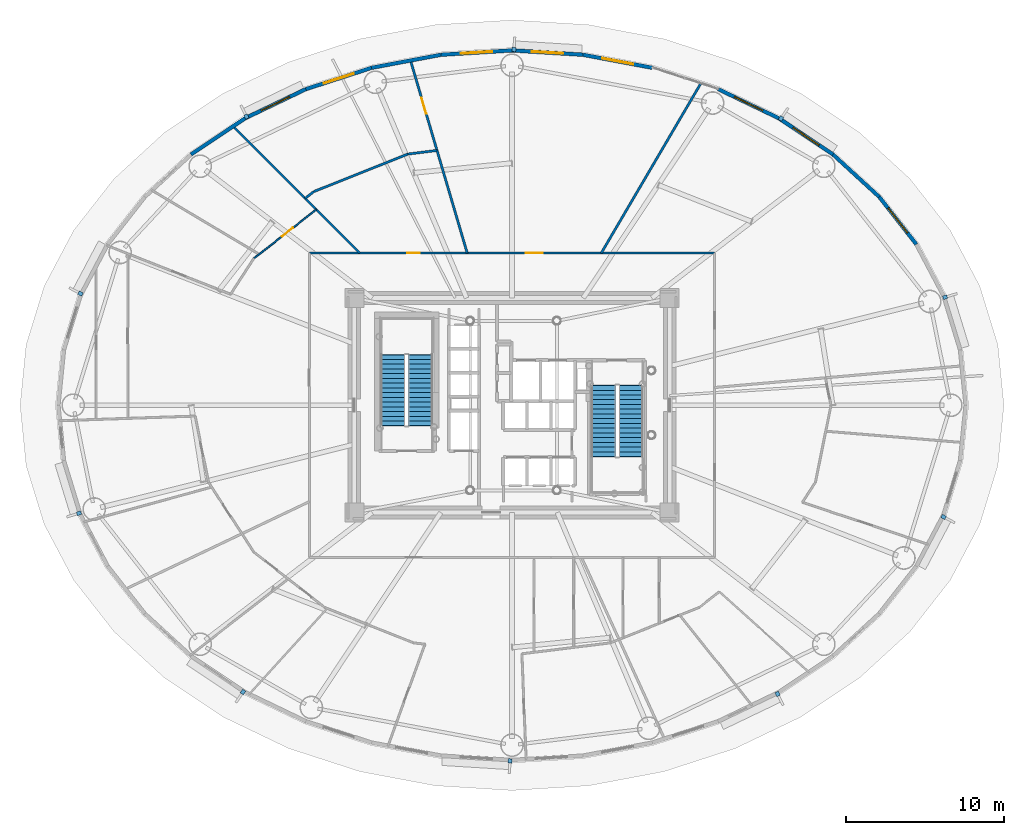
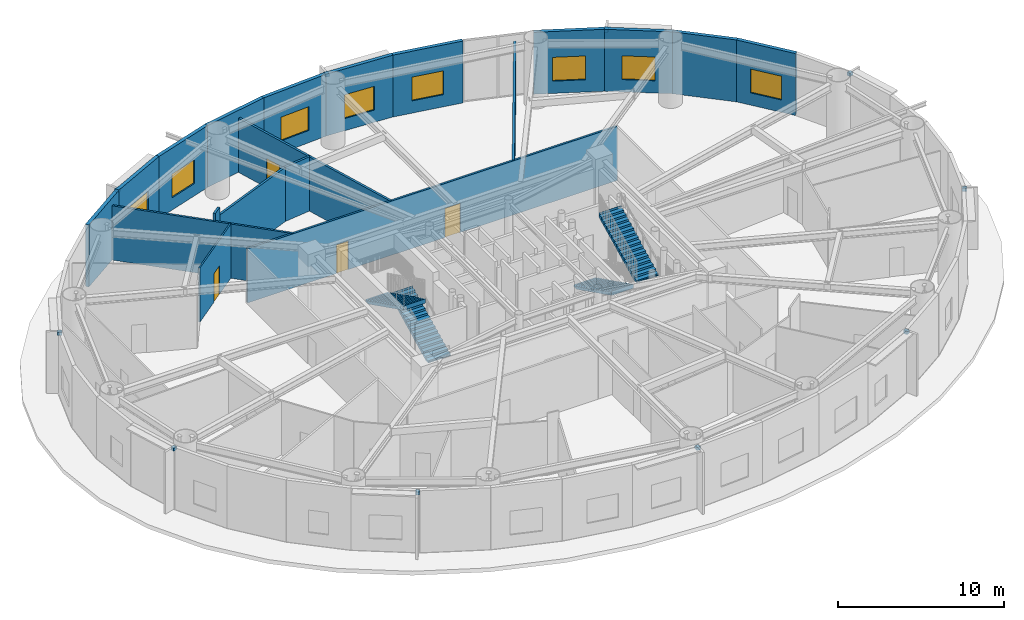
# One storey, part 13 of 19: 19 walls, 10 discrete accessories, 8 windows, 4 doors, 4 stair flights, 12 openings, 2 elements without a shape of their own.
"""IFC4 building model written with IfcOpenShell, lengths in metres."""

import ifcopenshell
import ifcopenshell.guid

model = None  # the IFC model being written
_history = None  # IfcOwnerHistory: only IFC2X3 demands one
_inside = {}  # id of a spatial element -> (the spatial element, [elements in it])
_under = {}  # id of a project, library or spatial element -> (it, [spatial elements below it])
_declared = {}  # id of a project -> (the project, [libraries it declares])
_typed = {}  # id of a type object -> (the type object, [elements of that type])
_made_of = {}  # id of a material, layer set ... -> (it, [elements and type objects made of it])


def new_model(schema):
    """Start an empty IFC model of exactly this schema.

    Asked for "IFC4X3", IfcOpenShell would pick the latest addendum, in which some entities
    have other attributes; the version numbers below select the first issue.
    IFC2X3 requires an IfcOwnerHistory on every rooted entity: one is made here for all.
    """
    global model, _history
    if schema == "IFC4X3":
        model = ifcopenshell.file(schema_version=(4, 3, 0, 0))
    else:
        model = ifcopenshell.file(schema=schema)
    _inside.clear()
    _under.clear()
    _declared.clear()
    _typed.clear()
    _made_of.clear()
    _history = None
    if model.schema == "IFC2X3":
        org = make("IfcOrganization", Name="unknown")
        user = make(
            "IfcPersonAndOrganization",
            ThePerson=make("IfcPerson", FamilyName="unknown"),
            TheOrganization=org,
        )
        app = make(
            "IfcApplication",
            ApplicationDeveloper=org,
            Version="unknown",
            ApplicationFullName="unknown",
            ApplicationIdentifier="unknown",
        )
        _history = make(
            "IfcOwnerHistory",
            OwningUser=user,
            OwningApplication=app,
            ChangeAction="ADDED",
            CreationDate=0,
        )
    return model


def make(cls, **values):
    """One entity of the class cls with the attributes given. An attribute that is None is left unset."""
    return model.create_entity(
        cls, **{name: value for name, value in values.items() if value is not None}
    )


def rooted(cls, **values):
    """An entity with a GlobalId (a new one), such as an element, a storey or a relation."""
    return make(cls, GlobalId=ifcopenshell.guid.new(), OwnerHistory=_history, **values)


def si_unit(unit_type, name, prefix=None):
    """IfcSIUnit, for example si_unit("LENGTHUNIT", "METRE", prefix="MILLI")."""
    return make("IfcSIUnit", UnitType=unit_type, Prefix=prefix, Name=name)


def assignment(units):
    """IfcUnitAssignment: the units of a project."""
    return None if units is None else make("IfcUnitAssignment", Units=units)


def point(xyz):
    """IfcCartesianPoint."""
    return None if xyz is None else make("IfcCartesianPoint", Coordinates=xyz)


def direction(xyz):
    """IfcDirection."""
    return None if xyz is None else make("IfcDirection", DirectionRatios=xyz)


def frame(location, z_axis=None, x_axis=None):
    """IfcAxis2Placement3D, a coordinate frame: its origin and axes. An axis left out is left unset."""
    return make(
        "IfcAxis2Placement3D",
        Location=point(location),
        Axis=direction(z_axis),
        RefDirection=direction(x_axis),
    )


def frame_2d(location, x_axis=None):
    """IfcAxis2Placement2D, a coordinate frame in the plane: its origin and x axis."""
    return make(
        "IfcAxis2Placement2D", Location=point(location), RefDirection=direction(x_axis)
    )


def origin():
    """The frame at (0, 0, 0) with its axes left unset."""
    return frame((0.0, 0.0, 0.0))


def origin_2d():
    """The frame at (0, 0) in the plane with its x axis left unset."""
    return frame_2d((0.0, 0.0))


def place(relative_to, where):
    """IfcLocalPlacement: puts the frame where relative to a parent placement (None: the world)."""
    return make(
        "IfcLocalPlacement", PlacementRelTo=relative_to, RelativePlacement=where
    )


def context(
    kind, dimensions, precision=None, world=None, true_north=None, identifier=None
):
    """IfcGeometricRepresentationContext, for example the 3D "Model" context."""
    return make(
        "IfcGeometricRepresentationContext",
        ContextIdentifier=identifier,
        ContextType=kind,
        CoordinateSpaceDimension=dimensions,
        Precision=precision,
        WorldCoordinateSystem=world,
        TrueNorth=true_north,
    )


def subcontext(parent, identifier, kind, view, scale=None):
    """IfcGeometricRepresentationSubContext, for example "Body" below "Model"."""
    return make(
        "IfcGeometricRepresentationSubContext",
        ContextIdentifier=identifier,
        ContextType=kind,
        ParentContext=parent,
        TargetScale=scale,
        TargetView=view,
    )


def project(units=None, contexts=None):
    """IfcProject with its units and contexts."""
    return rooted(
        "IfcProject",
        Name="project",
        RepresentationContexts=contexts,
        UnitsInContext=assignment(units),
    )


def spatial(cls, under=None, at=None, **own):
    """A site, building, storey or space (cls), placed at a placement, below another one or the project."""
    s = rooted(cls, ObjectPlacement=at, **own)
    if under is not None:
        _under.setdefault(under.id(), (under, []))[1].append(s)
    return s


def polyline(points):
    """IfcPolyline through the points."""
    return make("IfcPolyline", Points=[point(p) for p in points])


def profile(cls, at=None, kind="AREA", **sizes):
    """A parametric profile (cls). Its sizes go by their IFC names, for example OverallWidth=200.0."""
    return make(cls, ProfileType=kind, Position=at, **sizes)


def rectangle(**sizes):
    """IfcRectangleProfileDef."""
    return profile("IfcRectangleProfileDef", **sizes)


def outline(outer, holes=None, kind="AREA"):
    """IfcArbitraryClosedProfileDef: a profile drawn as a closed curve; with holes, ...WithVoids."""
    if holes is None:
        return make("IfcArbitraryClosedProfileDef", ProfileType=kind, OuterCurve=outer)
    return make(
        "IfcArbitraryProfileDefWithVoids",
        ProfileType=kind,
        OuterCurve=outer,
        InnerCurves=holes,
    )


def extrude(swept, where, along, depth):
    """IfcExtrudedAreaSolid: the profile swept, set in the frame where, extruded along a direction by depth."""
    return make(
        "IfcExtrudedAreaSolid",
        SweptArea=swept,
        Position=where,
        ExtrudedDirection=direction(along),
        Depth=depth,
    )


def shape(context_of_items, identifier, shape_type, items):
    """IfcShapeRepresentation: the items that make up one representation, for example the "Body"."""
    return make(
        "IfcShapeRepresentation",
        ContextOfItems=context_of_items,
        RepresentationIdentifier=identifier,
        RepresentationType=shape_type,
        Items=items,
    )


def source(mapping_origin, context_of_items, identifier, shape_type, items):
    """IfcRepresentationMap: a shape defined once, which mapped items show again and again."""
    return make(
        "IfcRepresentationMap",
        MappingOrigin=mapping_origin,
        MappedRepresentation=shape(context_of_items, identifier, shape_type, items),
    )


def transform(
    local_origin,
    x_axis=None,
    y_axis=None,
    z_axis=None,
    scale=None,
    scale2=None,
    scale3=None,
    uniform=True,
):
    """IfcCartesianTransformationOperator3D, or its non-uniform kind. x_axis, y_axis, z_axis: its Axis1, 2, 3."""
    if uniform:
        return make(
            "IfcCartesianTransformationOperator3D",
            Axis1=direction(x_axis),
            Axis2=direction(y_axis),
            LocalOrigin=point(local_origin),
            Scale=scale,
            Axis3=direction(z_axis),
        )
    return make(
        "IfcCartesianTransformationOperator3DnonUniform",
        Axis1=direction(x_axis),
        Axis2=direction(y_axis),
        LocalOrigin=point(local_origin),
        Scale=scale,
        Axis3=direction(z_axis),
        Scale2=scale2,
        Scale3=scale3,
    )


def mapped(mapping_source, mapping_target):
    """IfcMappedItem: shows the shape of a source again, moved by a transform."""
    return make(
        "IfcMappedItem", MappingSource=mapping_source, MappingTarget=mapping_target
    )


def material(Name=None, Category=None):
    """IfcMaterial."""
    return make("IfcMaterial", Name=Name, Category=Category)


def layer(
    of_material, thickness, ventilated=None, Name=None, Category=None, Priority=None
):
    """IfcMaterialLayer: one layer of a wall or slab, of a material (None: an air gap)."""
    return make(
        "IfcMaterialLayer",
        Material=of_material,
        LayerThickness=thickness,
        IsVentilated=ventilated,
        Name=Name,
        Category=Category,
        Priority=Priority,
    )


def layer_set(layers, Name=None):
    """IfcMaterialLayerSet."""
    return make("IfcMaterialLayerSet", MaterialLayers=layers, LayerSetName=Name)


def made_of(thing, what):
    """Note that an element or type object is made of a material, layer set ...; save() writes the relation."""
    if what is not None:
        _made_of.setdefault(what.id(), (what, []))[1].append(thing)
    return thing


def type_object(cls, material=None, **own):
    """A type object (cls), such as IfcWallType, which elements share."""
    return made_of(rooted(cls, **own), material)


def element(
    cls,
    number,
    at=None,
    inside=None,
    cuts=None,
    type_object=None,
    material=None,
    context=None,
    identifier="Body",
    shape_type=None,
    held_by="IfcProductDefinitionShape",
    body=None,
    shapes=None,
    **own,
):
    """One element of the class cls, such as IfcWall. Its Tag is "e" and its number.

    at: its placement. inside: the storey or other place that contains it. cuts: it is an
    opening in that element (IfcRelVoidsElement). A single representation is given by context,
    identifier, shape_type and body (its items); several are given by shapes. held_by: the class
    of the entity that holds the representations. save() writes the other relations.
    """
    e = rooted(cls, Tag="e%d" % number, ObjectPlacement=at, **own)
    if body is not None:
        shapes = [shape(context, identifier, shape_type, body)]
    if shapes is not None:
        e.Representation = make(held_by, Representations=shapes)
    if inside is not None:
        _inside.setdefault(inside.id(), (inside, []))[1].append(e)
    if cuts is not None:
        rooted(
            "IfcRelVoidsElement", RelatingBuildingElement=cuts, RelatedOpeningElement=e
        )
    if type_object is not None:
        _typed.setdefault(type_object.id(), (type_object, []))[1].append(e)
    return made_of(e, material)


def fill(opening, filler):
    """IfcRelFillsElement: the door or window that sits in an opening."""
    return rooted(
        "IfcRelFillsElement",
        RelatingOpeningElement=opening,
        RelatedBuildingElement=filler,
    )


def aggregate(whole, parts):
    """IfcRelAggregates: a whole, such as a stair, and the parts it consists of."""
    return rooted("IfcRelAggregates", RelatingObject=whole, RelatedObjects=parts)


def save(model, path):
    """Write the relations noted so far, then the file.

    IfcRelAggregates (storeys below a building ...), IfcRelContainedInSpatialStructure (elements
    in a storey), IfcRelDefinesByType, IfcRelAssociatesMaterial and IfcRelDeclares: one each for
    every whole, place, type object, material and project.
    """
    for whole, parts in _under.values():
        aggregate(whole, parts)
    for where, things in _inside.values():
        rooted(
            "IfcRelContainedInSpatialStructure",
            RelatedElements=things,
            RelatingStructure=where,
        )
    for kind, things in _typed.values():
        rooted("IfcRelDefinesByType", RelatedObjects=things, RelatingType=kind)
    for what, things in _made_of.values():
        rooted("IfcRelAssociatesMaterial", RelatedObjects=things, RelatingMaterial=what)
    for by, libraries in _declared.values():
        rooted("IfcRelDeclares", RelatingContext=by, RelatedDefinitions=libraries)
    model.write(path)


model = new_model("IFC4")

# Units and contexts
model_context = context("Model", 3, precision=1e-05, world=origin(), true_north=direction((0.0, 1.0)))
body_context = subcontext(model_context, "Body", "Model", "MODEL_VIEW")
ifc_project = project(units=[si_unit("LENGTHUNIT", "METRE"), si_unit("AREAUNIT", "SQUARE_METRE"), si_unit("VOLUMEUNIT", "CUBIC_METRE"), si_unit("PLANEANGLEUNIT", "RADIAN"), si_unit("MASSUNIT", "GRAM", prefix="KILO")], contexts=[model_context])

# Site, building, storey
site_placement = place(None, origin())
site = spatial("IfcSite", under=ifc_project, at=site_placement, CompositionType="ELEMENT")
building_placement = place(site_placement, origin())
building = spatial("IfcBuilding", under=site, at=building_placement, Name="Linh Dai School and Residence Tower", CompositionType="ELEMENT")
storey_placement = place(building_placement, frame((0.0, 0.0, 92.39990234375)))
storey = spatial("IfcBuildingStorey", under=building, at=storey_placement, Name="L21", CompositionType="ELEMENT", Elevation=92.39990234375)

# Wall, opening, window
ifc_material_1 = material(Name="Precast Concrete B45 (C35/45)", Category="concrete")
ifc_layer_1 = layer(ifc_material_1, 0.239990234375)
ifc_layer_set_1 = layer_set([ifc_layer_1], Name="Precast Concrete B45 (C35/45)")
wall_type_1 = type_object("IfcWallType", Name="EW-TC-240", PredefinedType="SOLIDWALL", material=ifc_layer_set_1)
wall_1_placement = place(storey_placement, frame((59.2890625, 40.216552734375, 0.0), z_axis=(0.0, 0.0, 1.0), x_axis=(0.616272103517, -0.787533297345, 0.0)))
wall_1 = element("IfcWall", 1, at=wall_1_placement, inside=storey, type_object=wall_type_1, Name="L21 Terracotta Exterior Wall 04", PredefinedType="SOLIDWALL", context=body_context, shape_type="SweptSolid", body=[
    extrude(rectangle(XDim=3.8232421875, YDim=0.239990234375, at=frame_2d((1.91162109375, 0.0))), origin(), (0.0, 0.0, 1.0), 4.550048828125),
])
opening_1_placement = place(wall_1_placement, frame((0.91162109375, 0.0, 0.89990234375)))
opening_1 = element("IfcOpeningElement", 2, at=opening_1_placement, cuts=wall_1, Name="Opening W1", PredefinedType="OPENING", context=body_context, shape_type="SweptSolid", body=[
    extrude(rectangle(XDim=2.0, YDim=1.75, at=origin_2d()), frame((1.0, 0.1298828125, 0.875), z_axis=(0.0, -1.0, 0.0), x_axis=(1.0, 0.0, 0.0)), (0.0, 0.0, 1.0), 0.260009765625),
])
ifc_material_2 = material(Name="Double Low-E Insulated Glazing", Category="glass")
window_type = type_object("IfcWindowType", Name="WN-RES-2000x1750", PartitioningType="DOUBLE_PANEL_VERTICAL", PredefinedType="WINDOW", material=ifc_material_2)
shared_shape_1 = source(origin(), body_context, "Body", "SweptSolid", [
    extrude(rectangle(XDim=2.0, YDim=1.75, at=origin_2d()), frame((1.0, 0.030029296875, 0.875), z_axis=(0.0, -1.0, 0.0), x_axis=(1.0, 0.0, 0.0)), (0.0, 0.0, 1.0), 0.06005859375),
])
window_1_placement = place(opening_1_placement, origin())
window_1 = element("IfcWindow", 3, at=window_1_placement, inside=storey, type_object=window_type, Name="L21 Exterior Window 04.1", OverallHeight=1.75, OverallWidth=2.0, PartitioningType="DOUBLE_PANEL_VERTICAL", PredefinedType="WINDOW", context=body_context, shape_type="MappedRepresentation", body=[
    mapped(shared_shape_1, transform((0.0, 0.0, 0.0), x_axis=(1.0, 0.0, 0.0), y_axis=(0.0, 1.0, 0.0), z_axis=(0.0, 0.0, 1.0), scale=1.0)),
])
fill(opening_1, window_1)

# Wall
wall_2_placement = place(storey_placement, frame((56.3583984375, 42.9033203125, 0.0), z_axis=(0.0, 0.0, 1.0), x_axis=(0.737113356241, -0.675769117414, 0.0)))
element("IfcWall", 4, at=wall_2_placement, inside=storey, type_object=wall_type_1, Name="L21 Terracotta Exterior Wall 05", PredefinedType="SOLIDWALL", context=body_context, shape_type="SweptSolid", body=[
    extrude(rectangle(XDim=3.975830078125, YDim=0.239990234375, at=frame_2d((1.98779296875, 0.0))), origin(), (0.0, 0.0, 1.0), 4.550048828125),
])

# Wall, opening, window
wall_3_placement = place(storey_placement, frame((52.92529296875, 45.199462890625, 0.0), z_axis=(0.0, 0.0, 1.0), x_axis=(0.831221811447, -0.555940914284, 0.0)))
wall_3 = element("IfcWall", 5, at=wall_3_placement, inside=storey, type_object=wall_type_1, Name="L21 Terracotta Exterior Wall 06", PredefinedType="SOLIDWALL", context=body_context, shape_type="SweptSolid", body=[
    extrude(rectangle(XDim=4.130126953125, YDim=0.239990234375, at=frame_2d((2.06494140625, 0.0))), origin(), (0.0, 0.0, 1.0), 4.550048828125),
])
opening_2_placement = place(wall_3_placement, frame((1.06494140625, 0.0, 0.89990234375)))
opening_2 = element("IfcOpeningElement", 6, at=opening_2_placement, cuts=wall_3, Name="Opening W1", PredefinedType="OPENING", context=body_context, shape_type="SweptSolid", body=[
    extrude(rectangle(XDim=2.0, YDim=1.75, at=origin_2d()), frame((1.0, 0.1298828125, 0.875), z_axis=(0.0, -1.0, 0.0), x_axis=(1.0, 0.0, 0.0)), (0.0, 0.0, 1.0), 0.260009765625),
])
window_2_placement = place(opening_2_placement, origin())
window_2 = element("IfcWindow", 7, at=window_2_placement, inside=storey, type_object=window_type, Name="L21 Exterior Window 06.1", OverallHeight=1.75, OverallWidth=2.0, PartitioningType="DOUBLE_PANEL_VERTICAL", PredefinedType="WINDOW", context=body_context, shape_type="MappedRepresentation", body=[
    mapped(shared_shape_1, transform((0.0, 0.0, 0.0), x_axis=(1.0, 0.0, 0.0), y_axis=(0.0, 1.0, 0.0), z_axis=(0.0, 0.0, 1.0), scale=1.0)),
])
fill(opening_2, window_2)

wall_4_placement = place(storey_placement, frame((49.073974609375, 47.04736328125, 0.0), z_axis=(0.0, 0.0, 1.0), x_axis=(0.901589935876, -0.432591709962, 0.0)))
wall_4 = element("IfcWall", 8, at=wall_4_placement, inside=storey, type_object=wall_type_1, Name="L21 Terracotta Exterior Wall 07", PredefinedType="SOLIDWALL", context=body_context, shape_type="SweptSolid", body=[
    extrude(rectangle(XDim=4.271728515625, YDim=0.239990234375, at=frame_2d((2.1357421875, 0.0))), origin(), (0.0, 0.0, 1.0), 4.550048828125),
])
opening_3_placement = place(wall_4_placement, frame((1.1357421875, 0.0, 0.89990234375)))
opening_3 = element("IfcOpeningElement", 9, at=opening_3_placement, cuts=wall_4, Name="Opening W1", PredefinedType="OPENING", context=body_context, shape_type="SweptSolid", body=[
    extrude(rectangle(XDim=2.0, YDim=1.75, at=origin_2d()), frame((1.0, 0.1298828125, 0.875), z_axis=(0.0, -1.0, 0.0), x_axis=(1.0, 0.0, 0.0)), (0.0, 0.0, 1.0), 0.260009765625),
])
window_3_placement = place(opening_3_placement, origin())
window_3 = element("IfcWindow", 10, at=window_3_placement, inside=storey, type_object=window_type, Name="L21 Exterior Window 07.1", OverallHeight=1.75, OverallWidth=2.0, PartitioningType="DOUBLE_PANEL_VERTICAL", PredefinedType="WINDOW", context=body_context, shape_type="MappedRepresentation", body=[
    mapped(shared_shape_1, transform((0.0, 0.0, 0.0), x_axis=(1.0, 0.0, 0.0), y_axis=(0.0, 1.0, 0.0), z_axis=(0.0, 0.0, 1.0), scale=1.0)),
])
fill(opening_3, window_3)

wall_5_placement = place(storey_placement, frame((40.505615234375, 49.227294921875, 0.0), z_axis=(0.0, 0.0, 1.0), x_axis=(0.982789252177, -0.184730305596, 0.0)))
wall_5 = element("IfcWall", 11, at=wall_5_placement, inside=storey, type_object=wall_type_1, Name="L21 Terracotta Exterior Wall 09", PredefinedType="SOLIDWALL", context=body_context, shape_type="SweptSolid", body=[
    extrude(rectangle(XDim=4.470947265625, YDim=0.239990234375, at=frame_2d((2.2353515625, 0.0))), origin(), (0.0, 0.0, 1.0), 4.550048828125),
])
opening_4_placement = place(wall_5_placement, frame((1.235595703125, 0.0, 0.89990234375)))
opening_4 = element("IfcOpeningElement", 12, at=opening_4_placement, cuts=wall_5, Name="Opening W1", PredefinedType="OPENING", context=body_context, shape_type="SweptSolid", body=[
    extrude(rectangle(XDim=2.0, YDim=1.75, at=origin_2d()), frame((1.0, 0.1298828125, 0.875), z_axis=(0.0, -1.0, 0.0), x_axis=(1.0, 0.0, 0.0)), (0.0, 0.0, 1.0), 0.260009765625),
])
window_4_placement = place(opening_4_placement, origin())
window_4 = element("IfcWindow", 13, at=window_4_placement, inside=storey, type_object=window_type, Name="L21 Exterior Window 09.1", OverallHeight=1.75, OverallWidth=2.0, PartitioningType="DOUBLE_PANEL_VERTICAL", PredefinedType="WINDOW", context=body_context, shape_type="MappedRepresentation", body=[
    mapped(shared_shape_1, transform((0.0, 0.0, 0.0), x_axis=(1.0, 0.0, 0.0), y_axis=(0.0, 1.0, 0.0), z_axis=(0.0, 0.0, 1.0), scale=1.0)),
])
fill(opening_4, window_4)

wall_6_placement = place(storey_placement, frame((36.0, 49.5048828125, 0.0), z_axis=(0.0, 0.0, 1.0), x_axis=(0.998107531589, -0.061492726276, 0.0)))
wall_6 = element("IfcWall", 14, at=wall_6_placement, inside=storey, type_object=wall_type_1, Name="L21 Terracotta Exterior Wall 10", PredefinedType="SOLIDWALL", context=body_context, shape_type="SweptSolid", body=[
    extrude(rectangle(XDim=4.51416015625, YDim=0.239990234375, at=frame_2d((2.257080078125, 0.0))), origin(), (0.0, 0.0, 1.0), 4.550048828125),
])
opening_5_placement = place(wall_6_placement, frame((1.257080078125, 0.0, 0.89990234375)))
opening_5 = element("IfcOpeningElement", 15, at=opening_5_placement, cuts=wall_6, Name="Opening W1", PredefinedType="OPENING", context=body_context, shape_type="SweptSolid", body=[
    extrude(rectangle(XDim=2.0, YDim=1.75, at=origin_2d()), frame((1.0, 0.1298828125, 0.875), z_axis=(0.0, -1.0, 0.0), x_axis=(1.0, 0.0, 0.0)), (0.0, 0.0, 1.0), 0.260009765625),
])
window_5_placement = place(opening_5_placement, origin())
window_5 = element("IfcWindow", 16, at=window_5_placement, inside=storey, type_object=window_type, Name="L21 Exterior Window 10.1", OverallHeight=1.75, OverallWidth=2.0, PartitioningType="DOUBLE_PANEL_VERTICAL", PredefinedType="WINDOW", context=body_context, shape_type="MappedRepresentation", body=[
    mapped(shared_shape_1, transform((0.0, 0.0, 0.0), x_axis=(1.0, 0.0, 0.0), y_axis=(0.0, 1.0, 0.0), z_axis=(0.0, 0.0, 1.0), scale=1.0)),
])
fill(opening_5, window_5)

wall_7_placement = place(storey_placement, frame((31.494384765625, 49.227294921875, 0.0), z_axis=(0.0, 0.0, 1.0), x_axis=(0.998107531589, 0.061492726276, 0.0)))
wall_7 = element("IfcWall", 17, at=wall_7_placement, inside=storey, type_object=wall_type_1, Name="L21 Terracotta Exterior Wall 11", PredefinedType="SOLIDWALL", context=body_context, shape_type="SweptSolid", body=[
    extrude(rectangle(XDim=4.51416015625, YDim=0.239990234375, at=frame_2d((2.257080078125, 0.0))), origin(), (0.0, 0.0, 1.0), 4.550048828125),
])
opening_6_placement = place(wall_7_placement, frame((1.257080078125, 0.0, 0.89990234375)))
opening_6 = element("IfcOpeningElement", 18, at=opening_6_placement, cuts=wall_7, Name="Opening W1", PredefinedType="OPENING", context=body_context, shape_type="SweptSolid", body=[
    extrude(rectangle(XDim=2.0, YDim=1.75, at=origin_2d()), frame((1.0, 0.1298828125, 0.875), z_axis=(0.0, -1.0, 0.0), x_axis=(1.0, 0.0, 0.0)), (0.0, 0.0, 1.0), 0.260009765625),
])
window_6_placement = place(opening_6_placement, origin())
window_6 = element("IfcWindow", 19, at=window_6_placement, inside=storey, type_object=window_type, Name="L21 Exterior Window 11.1", OverallHeight=1.75, OverallWidth=2.0, PartitioningType="DOUBLE_PANEL_VERTICAL", PredefinedType="WINDOW", context=body_context, shape_type="MappedRepresentation", body=[
    mapped(shared_shape_1, transform((0.0, 0.0, 0.0), x_axis=(1.0, 0.0, 0.0), y_axis=(0.0, 1.0, 0.0), z_axis=(0.0, 0.0, 1.0), scale=1.0)),
])
fill(opening_6, window_6)

# Wall
wall_8_placement = place(storey_placement, frame((27.100341796875, 48.4013671875, 0.0), z_axis=(0.0, 0.0, 1.0), x_axis=(0.982789252177, 0.184730305596, 0.0)))
element("IfcWall", 20, at=wall_8_placement, inside=storey, type_object=wall_type_1, Name="L21 Terracotta Exterior Wall 12", PredefinedType="SOLIDWALL", context=body_context, shape_type="SweptSolid", body=[
    extrude(rectangle(XDim=4.470947265625, YDim=0.239990234375, at=frame_2d((2.2353515625, 0.0))), origin(), (0.0, 0.0, 1.0), 4.550048828125),
])

# Wall, opening, window
wall_9_placement = place(storey_placement, frame((22.926025390625, 47.04736328125, 0.0), z_axis=(0.0, 0.0, 1.0), x_axis=(0.951211346073, 0.308540070495, 0.0)))
wall_9 = element("IfcWall", 21, at=wall_9_placement, inside=storey, type_object=wall_type_1, Name="L21 Terracotta Exterior Wall 13", PredefinedType="SOLIDWALL", context=body_context, shape_type="SweptSolid", body=[
    extrude(rectangle(XDim=4.388427734375, YDim=0.239990234375, at=frame_2d((2.1943359375, 0.0))), origin(), (0.0, 0.0, 1.0), 4.550048828125),
])
opening_7_placement = place(wall_9_placement, frame((1.1943359375, 0.0, 0.89990234375)))
opening_7 = element("IfcOpeningElement", 22, at=opening_7_placement, cuts=wall_9, Name="Opening W1", PredefinedType="OPENING", context=body_context, shape_type="SweptSolid", body=[
    extrude(rectangle(XDim=2.0, YDim=1.75, at=origin_2d()), frame((1.0, 0.1298828125, 0.875), z_axis=(0.0, -1.0, 0.0), x_axis=(1.0, 0.0, 0.0)), (0.0, 0.0, 1.0), 0.260009765625),
])
window_7_placement = place(opening_7_placement, origin())
window_7 = element("IfcWindow", 23, at=window_7_placement, inside=storey, type_object=window_type, Name="L21 Exterior Window 13.1", OverallHeight=1.75, OverallWidth=2.0, PartitioningType="DOUBLE_PANEL_VERTICAL", PredefinedType="WINDOW", context=body_context, shape_type="MappedRepresentation", body=[
    mapped(shared_shape_1, transform((0.0, 0.0, 0.0), x_axis=(1.0, 0.0, 0.0), y_axis=(0.0, 1.0, 0.0), z_axis=(0.0, 0.0, 1.0), scale=1.0)),
])
fill(opening_7, window_7)

wall_10_placement = place(storey_placement, frame((19.07470703125, 45.199462890625, 0.0), z_axis=(0.0, 0.0, 1.0), x_axis=(0.901589935876, 0.432591709962, 0.0)))
wall_10 = element("IfcWall", 24, at=wall_10_placement, inside=storey, type_object=wall_type_1, Name="L21 Terracotta Exterior Wall 14", PredefinedType="SOLIDWALL", context=body_context, shape_type="SweptSolid", body=[
    extrude(rectangle(XDim=4.271728515625, YDim=0.239990234375, at=frame_2d((2.1357421875, 0.0))), origin(), (0.0, 0.0, 1.0), 4.550048828125),
])
opening_8_placement = place(wall_10_placement, frame((1.135986328125, 0.0, 0.89990234375)))
opening_8 = element("IfcOpeningElement", 25, at=opening_8_placement, cuts=wall_10, Name="Opening W1", PredefinedType="OPENING", context=body_context, shape_type="SweptSolid", body=[
    extrude(rectangle(XDim=2.0, YDim=1.75, at=origin_2d()), frame((1.0, 0.1298828125, 0.875), z_axis=(0.0, -1.0, 0.0), x_axis=(1.0, 0.0, 0.0)), (0.0, 0.0, 1.0), 0.260009765625),
])
window_8_placement = place(opening_8_placement, origin())
window_8 = element("IfcWindow", 26, at=window_8_placement, inside=storey, type_object=window_type, Name="L21 Exterior Window 14.1", OverallHeight=1.75, OverallWidth=2.0, PartitioningType="DOUBLE_PANEL_VERTICAL", PredefinedType="WINDOW", context=body_context, shape_type="MappedRepresentation", body=[
    mapped(shared_shape_1, transform((0.0, 0.0, 0.0), x_axis=(1.0, 0.0, 0.0), y_axis=(0.0, 1.0, 0.0), z_axis=(0.0, 0.0, 1.0), scale=1.0)),
])
fill(opening_8, window_8)

# Walls
wall_11_placement = place(storey_placement, frame((15.6416015625, 42.9033203125, 0.0), z_axis=(0.0, 0.0, 1.0), x_axis=(0.831221811447, 0.555940914284, 0.0)))
element("IfcWall", 27, at=wall_11_placement, inside=storey, type_object=wall_type_1, Name="L21 Terracotta Exterior Wall 15", PredefinedType="SOLIDWALL", context=body_context, shape_type="SweptSolid", body=[
    extrude(rectangle(XDim=4.130126953125, YDim=0.239990234375, at=frame_2d((2.06494140625, 0.0))), origin(), (0.0, 0.0, 1.0), 4.550048828125),
])
ifc_material_3 = material(Name="Autoclaved Aerated Concrete Blockwork", Category="masonry")
ifc_layer_2 = layer(ifc_material_3, 0.135009765625)
ifc_layer_set_2 = layer_set([ifc_layer_2], Name="Autoclaved Aerated Concrete Blockwork")
wall_type_2 = type_object("IfcWallType", Name="IW-CORR-135-EI90", PredefinedType="PARTITIONING", material=ifc_layer_set_2)
wall_12_placement = place(storey_placement, frame((18.3076171875, 44.6923828125, 0.0), z_axis=(0.0, 0.0, 1.0), x_axis=(0.707106781187, -0.707106781187, 0.0)))
element("IfcWall", 28, at=wall_12_placement, inside=storey, type_object=wall_type_2, Name="L21 Interior Partition Wall 012", PredefinedType="PARTITIONING", context=body_context, shape_type="SweptSolid", body=[
    extrude(rectangle(XDim=11.373779296875, YDim=0.135009765625, at=frame_2d((5.68701171875, 0.0))), origin(), (0.0, 0.0, 1.0), 3.985107421875),
])

# Wall, openings, doors
wall_13_placement = place(storey_placement, frame((23.14990234375, 36.64990234375, 0.0), z_axis=(0.0, 0.0, 1.0), x_axis=(1.0, 0.0, 0.0)))
wall_13 = element("IfcWall", 29, at=wall_13_placement, inside=storey, type_object=wall_type_2, Name="L21 Interior Partition Wall 019", PredefinedType="PARTITIONING", context=body_context, shape_type="SweptSolid", body=[
    extrude(rectangle(XDim=25.7001953125, YDim=0.135009765625, at=frame_2d((12.85009765625, 0.0))), origin(), (0.0, 0.0, 1.0), 3.985107421875),
])
opening_9_placement = place(wall_13_placement, frame((13.735595703125, 0.0, 0.0)))
opening_9 = element("IfcOpeningElement", 30, at=opening_9_placement, cuts=wall_13, Name="Opening D04", PredefinedType="OPENING", context=body_context, shape_type="SweptSolid", body=[
    extrude(rectangle(XDim=1.050048828125, YDim=2.14990234375, at=origin_2d()), frame((0.52490234375, 0.07763671875, 1.074951171875), z_axis=(0.0, -1.0, 0.0), x_axis=(1.0, 0.0, 0.0)), (0.0, 0.0, 1.0), 0.155029296875),
])
opening_10_placement = place(wall_13_placement, frame((6.19482421875, 0.0, 0.0)))
opening_10 = element("IfcOpeningElement", 31, at=opening_10_placement, cuts=wall_13, Name="Opening D06", PredefinedType="OPENING", context=body_context, shape_type="SweptSolid", body=[
    extrude(rectangle(XDim=0.820068359375, YDim=2.10009765625, at=origin_2d()), frame((0.41015625, 0.07763671875, 1.050048828125), z_axis=(0.0, -1.0, 0.0), x_axis=(1.0, 0.0, 0.0)), (0.0, 0.0, 1.0), 0.155029296875),
])
ifc_material_4 = material(Name="Acoustic Vision-Panel Timber Classroom Door", Category="wood")
door_type_1 = type_object("IfcDoorType", Name="DR-SCH-1050x2150-FD60S", OperationType="NOTDEFINED", PredefinedType="DOOR", material=ifc_material_4)
shared_shape_2 = source(origin(), body_context, "Body", "SweptSolid", [
    extrude(rectangle(XDim=1.050048828125, YDim=2.14990234375, at=origin_2d()), frame((0.52490234375, 0.02490234375, 1.074951171875), z_axis=(0.0, -1.0, 0.0), x_axis=(1.0, 0.0, 0.0)), (0.0, 0.0, 1.0), 0.050048828125),
])
door_1_placement = place(opening_9_placement, origin())
door_1 = element("IfcDoor", 32, at=door_1_placement, inside=storey, type_object=door_type_1, Name="L21 Low-Zone Sky Garden Pavilion Lounge Reading Room Door", OperationType="SINGLE_SWING_LEFT", OverallHeight=2.14990234375, OverallWidth=1.050048828125, PredefinedType="DOOR", context=body_context, shape_type="MappedRepresentation", body=[
    mapped(shared_shape_2, transform((0.0, 0.0, 0.0), x_axis=(1.0, 0.0, 0.0), y_axis=(0.0, 1.0, 0.0), z_axis=(0.0, 0.0, 1.0), scale=1.0)),
])
fill(opening_9, door_1)
ifc_material_5 = material(Name="Moisture-Resistant Timber Bathroom Door", Category="wood")
door_type_2 = type_object("IfcDoorType", Name="DR-WET-820x2100", OperationType="NOTDEFINED", PredefinedType="DOOR", material=ifc_material_5)
shared_shape_3 = source(origin(), body_context, "Body", "SweptSolid", [
    extrude(rectangle(XDim=0.820068359375, YDim=2.10009765625, at=origin_2d()), frame((0.41015625, 0.02490234375, 1.050048828125), z_axis=(0.0, -1.0, 0.0), x_axis=(1.0, 0.0, 0.0)), (0.0, 0.0, 1.0), 0.050048828125),
])
door_2_placement = place(opening_10_placement, origin())
door_2 = element("IfcDoor", 33, at=door_2_placement, inside=storey, type_object=door_type_2, Name="L21 Amenity Washroom Door", OperationType="SINGLE_SWING_RIGHT", OverallHeight=2.10009765625, OverallWidth=0.820068359375, PredefinedType="DOOR", context=body_context, shape_type="MappedRepresentation", body=[
    mapped(shared_shape_3, transform((0.0, 0.0, 0.0), x_axis=(1.0, 0.0, 0.0), y_axis=(0.0, 1.0, 0.0), z_axis=(0.0, 0.0, 1.0), scale=1.0)),
])
fill(opening_10, door_2)

# Walls
ifc_layer_3 = layer(ifc_material_3, 0.14990234375)
ifc_layer_set_3 = layer_set([ifc_layer_3], Name="Autoclaved Aerated Concrete Blockwork")
wall_type_3 = type_object("IfcWallType", Name="IW-SCH-150-EI60", PredefinedType="PARTITIONING", material=ifc_layer_set_3)
wall_14_placement = place(storey_placement, frame((22.88134765625, 40.11865234375, 0.0), z_axis=(0.0, 0.0, 1.0), x_axis=(0.787460608079, 0.616364981747, 0.0)))
element("IfcWall", 34, at=wall_14_placement, inside=storey, type_object=wall_type_3, Name="L21 Interior Partition Wall 016", PredefinedType="PARTITIONING", context=body_context, shape_type="SweptSolid", body=[
    extrude(rectangle(XDim=0.6962890625, YDim=0.14990234375, at=frame_2d((0.34814453125, 0.0))), origin(), (0.0, 0.0, 1.0), 4.550048828125),
])
wall_15_placement = place(storey_placement, frame((23.4296875, 40.5478515625, 0.0), z_axis=(0.0, 0.0, 1.0), x_axis=(0.928798989983, 0.370583912503, 0.0)))
element("IfcWall", 35, at=wall_15_placement, inside=storey, type_object=wall_type_3, Name="L21 Interior Partition Wall 020", PredefinedType="PARTITIONING", context=body_context, shape_type="SweptSolid", body=[
    extrude(rectangle(XDim=6.418701171875, YDim=0.14990234375, at=frame_2d((3.20947265625, 0.0))), origin(), (0.0, 0.0, 1.0), 3.985107421875),
])
wall_16_placement = place(storey_placement, frame((29.391357421875, 42.926513671875, 0.0), z_axis=(0.0, 0.0, 1.0), x_axis=(0.992390083923, 0.123133753827, 0.0)))
element("IfcWall", 36, at=wall_16_placement, inside=storey, type_object=wall_type_3, Name="L21 Interior Partition Wall 024", PredefinedType="PARTITIONING", context=body_context, shape_type="SweptSolid", body=[
    extrude(rectangle(XDim=1.86767578125, YDim=0.14990234375, at=frame_2d((0.933837890625, 0.0))), origin(), (0.0, 0.0, 1.0), 3.985107421875),
])

# Wall, opening, door
wall_17_placement = place(storey_placement, frame((29.5634765625, 48.869384765625, 0.0), z_axis=(0.0, 0.0, 1.0), x_axis=(0.282349992993, -0.959311462173, 0.0)))
wall_17 = element("IfcWall", 37, at=wall_17_placement, inside=storey, type_object=wall_type_3, Name="L21 Interior Partition Wall 025", PredefinedType="PARTITIONING", context=body_context, shape_type="SweptSolid", body=[
    extrude(rectangle(XDim=12.737548828125, YDim=0.14990234375, at=frame_2d((6.36865234375, 0.0))), origin(), (0.0, 0.0, 1.0), 3.985107421875),
])
opening_11_placement = place(wall_17_placement, frame((2.47265625, 0.0, 0.0)))
opening_11 = element("IfcOpeningElement", 38, at=opening_11_placement, cuts=wall_17, Name="Opening D04", PredefinedType="OPENING", context=body_context, shape_type="SweptSolid", body=[
    extrude(rectangle(XDim=1.050048828125, YDim=2.14990234375, at=origin_2d()), frame((0.52490234375, 0.0849609375, 1.074951171875), z_axis=(0.0, -1.0, 0.0), x_axis=(1.0, 0.0, 0.0)), (0.0, 0.0, 1.0), 0.169921875),
])
door_3_placement = place(opening_11_placement, origin())
door_3 = element("IfcDoor", 39, at=door_3_placement, inside=storey, type_object=door_type_1, Name="L21 Amenity Tea Salon Door", OperationType="SINGLE_SWING_LEFT", OverallHeight=2.14990234375, OverallWidth=1.050048828125, PredefinedType="DOOR", context=body_context, shape_type="MappedRepresentation", body=[
    mapped(shared_shape_2, transform((0.0, 0.0, 0.0), x_axis=(1.0, 0.0, 0.0), y_axis=(0.0, 1.0, 0.0), z_axis=(0.0, 0.0, 1.0), scale=1.0)),
])
fill(opening_11, door_3)

# Wall
wall_18_placement = place(storey_placement, frame((41.66162109375, 36.64990234375, 0.0), z_axis=(0.0, 0.0, 1.0), x_axis=(0.506029365316, 0.862516249956, 0.0)))
element("IfcWall", 40, at=wall_18_placement, inside=storey, type_object=wall_type_3, Name="L21 Interior Partition Wall 065", PredefinedType="PARTITIONING", context=body_context, shape_type="SweptSolid", body=[
    extrude(rectangle(XDim=12.474609375, YDim=0.14990234375, at=frame_2d((6.2373046875, 0.0))), origin(), (0.0, 0.0, 1.0), 3.985107421875),
])

# Wall, opening, door
ifc_material_6 = material(Name="Gypsum Plasterboard Acoustic Stud Partition", Category="masonry")
ifc_layer_4 = layer(ifc_material_6, 0.10009765625)
ifc_layer_set_4 = layer_set([ifc_layer_4], Name="Gypsum Plasterboard Acoustic Stud Partition")
wall_type_4 = type_object("IfcWallType", Name="IW-UNIT-100", PredefinedType="PARTITIONING", material=ifc_layer_set_4)
wall_19_placement = place(storey_placement, frame((19.633544921875, 36.31103515625, 0.0), z_axis=(0.0, 0.0, 1.0), x_axis=(0.787333773608, 0.616526989625, 0.0)))
wall_19 = element("IfcWall", 41, at=wall_19_placement, inside=storey, type_object=wall_type_4, Name="L21 Interior Partition Wall 015", PredefinedType="PARTITIONING", context=body_context, shape_type="SweptSolid", body=[
    extrude(rectangle(XDim=5.025634765625, YDim=0.10009765625, at=frame_2d((2.5126953125, 0.0))), origin(), (0.0, 0.0, 1.0), 3.985107421875),
])
opening_12_placement = place(wall_19_placement, frame((2.253662109375, 0.0, 0.0)))
opening_12 = element("IfcOpeningElement", 42, at=opening_12_placement, cuts=wall_19, Name="Opening D05", PredefinedType="OPENING", context=body_context, shape_type="SweptSolid", body=[
    extrude(rectangle(XDim=0.89990234375, YDim=2.10009765625, at=origin_2d()), frame((0.449951171875, 0.06005859375, 1.050048828125), z_axis=(0.0, -1.0, 0.0), x_axis=(1.0, 0.0, 0.0)), (0.0, 0.0, 1.0), 0.1201171875),
])
ifc_material_7 = material(Name="Engineered Timber Internal Door", Category="wood")
door_type_3 = type_object("IfcDoorType", Name="DR-INT-900x2100", OperationType="NOTDEFINED", PredefinedType="DOOR", material=ifc_material_7)
shared_shape_4 = source(origin(), body_context, "Body", "SweptSolid", [
    extrude(rectangle(XDim=0.89990234375, YDim=2.10009765625, at=origin_2d()), frame((0.449951171875, 0.02490234375, 1.050048828125), z_axis=(0.0, -1.0, 0.0), x_axis=(1.0, 0.0, 0.0)), (0.0, 0.0, 1.0), 0.050048828125),
])
door_4_placement = place(opening_12_placement, origin())
door_4 = element("IfcDoor", 43, at=door_4_placement, inside=storey, type_object=door_type_3, Name="L21 Apartment U2101 Principal Bedroom 1 Door", OperationType="SINGLE_SWING_LEFT", OverallHeight=2.10009765625, OverallWidth=0.89990234375, PredefinedType="DOOR", context=body_context, shape_type="MappedRepresentation", body=[
    mapped(shared_shape_4, transform((0.0, 0.0, 0.0), x_axis=(1.0, 0.0, 0.0), y_axis=(0.0, 1.0, 0.0), z_axis=(0.0, 0.0, 1.0), scale=1.0)),
])
fill(opening_12, door_4)

# Stair, stair flights
ifc_material_8 = material(Name="Concrete B45 (C35/45)", Category="concrete")
stair_type = type_object("IfcStairType", Name="ST-DOG-1550-R1500", PredefinedType="HALF_TURN_STAIR", material=ifc_material_8)
stair_1_placement = place(storey_placement, origin())
stair_1 = element("IfcStair", 44, at=stair_1_placement, inside=storey, type_object=stair_type, Name="L21 Core Smokeproof Exit Stair ST1", PredefinedType="HALF_TURN_STAIR")
stair_flight_type = type_object("IfcStairFlightType", Name="STF-STR-1550-R1500", PredefinedType="STRAIGHT", material=ifc_material_8)
shared_shape_5 = source(origin(), body_context, "Body", "SweptSolid", [
    extrude(outline(polyline([(-0.02490234375, 0.0), (-0.02490234375, 0.06005859375), (0.0, 0.06005859375), (0.0, 0.14990234375), (0.300048828125, 0.14990234375), (0.300048828125, 0.300048828125), (0.60009765625, 0.300048828125), (0.60009765625, 0.449951171875), (0.89990234375, 0.449951171875), (0.89990234375, 0.60009765625), (1.199951171875, 0.60009765625), (1.199951171875, 0.75), (1.5, 0.75), (1.5, 0.89990234375), (1.800048828125, 0.89990234375), (1.800048828125, 1.050048828125), (2.10009765625, 1.050048828125), (2.10009765625, 1.199951171875), (2.39990234375, 1.199951171875), (2.39990234375, 1.35009765625), (2.699951171875, 1.35009765625), (2.699951171875, 1.5), (3.0, 1.5), (3.0, 1.64990234375), (3.300048828125, 1.64990234375), (3.300048828125, 1.800048828125), (3.60009765625, 1.800048828125), (3.60009765625, 1.949951171875), (3.89990234375, 1.949951171875), (3.89990234375, 2.10009765625), (4.199951171875, 2.10009765625), (4.199951171875, 2.25), (4.5, 2.25), (4.5, 2.39990234375), (4.52490234375, 2.39990234375), (4.52490234375, 2.08251953125), (4.5, 2.08251953125), (0.335205078125, 0.0), (-0.02490234375, 0.0)])), frame((0.0, 0.77490234375, 0.0), z_axis=(0.0, -1.0, 0.0), x_axis=(1.0, 0.0, 0.0)), (0.0, 0.0, 1.0), 1.550048828125),
])
stair_flight_1_placement = place(storey_placement, frame((30.205078125, 25.699951171875, 0.0), z_axis=(0.0, 0.0, 1.0), x_axis=(0.0, 1.0, 0.0)))
stair_flight_1 = element("IfcStairFlight", 45, at=stair_flight_1_placement, type_object=stair_flight_type, Name="ST1 flight 1", NumberOfRisers=16, NumberOfTreads=15, PredefinedType="STRAIGHT", RiserHeight=0.15, TreadLength=0.3, context=body_context, shape_type="MappedRepresentation", body=[
    mapped(shared_shape_5, transform((0.0, 0.0, 0.0), x_axis=(1.0, 0.0, 0.0), y_axis=(0.0, 1.0, 0.0), z_axis=(0.0, 0.0, 1.0), scale=1.0)),
])
stair_flight_2_placement = place(storey_placement, frame((28.455078125, 30.199951171875, 2.400146484375), z_axis=(0.0, 0.0, 1.0), x_axis=(0.0, -1.0, 0.0)))
stair_flight_2 = element("IfcStairFlight", 46, at=stair_flight_2_placement, type_object=stair_flight_type, Name="ST1 flight 2", NumberOfRisers=16, NumberOfTreads=15, PredefinedType="STRAIGHT", RiserHeight=0.15, TreadLength=0.3, context=body_context, shape_type="MappedRepresentation", body=[
    mapped(shared_shape_5, transform((0.0, 0.0, 0.0), x_axis=(1.0, 0.0, 0.0), y_axis=(0.0, 1.0, 0.0), z_axis=(0.0, 0.0, 1.0), scale=1.0)),
])
aggregate(stair_1, [stair_flight_1, stair_flight_2])

stair_2_placement = place(storey_placement, origin())
stair_2 = element("IfcStair", 47, at=stair_2_placement, inside=storey, type_object=stair_type, Name="L21 Core Smokeproof Exit Stair ST2", PredefinedType="HALF_TURN_STAIR")
stair_flight_3_placement = place(storey_placement, frame((41.794921875, 28.25, 0.0), z_axis=(0.0, 0.0, 1.0), x_axis=(0.0, -1.0, 0.0)))
stair_flight_3 = element("IfcStairFlight", 48, at=stair_flight_3_placement, type_object=stair_flight_type, Name="ST2 flight 1", NumberOfRisers=16, NumberOfTreads=15, PredefinedType="STRAIGHT", RiserHeight=0.15, TreadLength=0.3, context=body_context, shape_type="MappedRepresentation", body=[
    mapped(shared_shape_5, transform((0.0, 0.0, 0.0), x_axis=(1.0, 0.0, 0.0), y_axis=(0.0, 1.0, 0.0), z_axis=(0.0, 0.0, 1.0), scale=1.0)),
])
stair_flight_4_placement = place(storey_placement, frame((43.544921875, 23.75, 2.400146484375), z_axis=(0.0, 0.0, 1.0), x_axis=(0.0, 1.0, 0.0)))
stair_flight_4 = element("IfcStairFlight", 49, at=stair_flight_4_placement, type_object=stair_flight_type, Name="ST2 flight 2", NumberOfRisers=16, NumberOfTreads=15, PredefinedType="STRAIGHT", RiserHeight=0.15, TreadLength=0.3, context=body_context, shape_type="MappedRepresentation", body=[
    mapped(shared_shape_5, transform((0.0, 0.0, 0.0), x_axis=(1.0, 0.0, 0.0), y_axis=(0.0, 1.0, 0.0), z_axis=(0.0, 0.0, 1.0), scale=1.0)),
])
aggregate(stair_2, [stair_flight_3, stair_flight_4])

# Discrete accessories
ifc_material_9 = material(Name="Structural Steel S355JR", Category="steel")
discrete_accessory_type = type_object("IfcDiscreteAccessoryType", Name="ACC-BRK-S355", PredefinedType="BRACKET", material=ifc_material_9)
shared_shape_6 = source(origin(), body_context, "Body", "SweptSolid", [
    extrude(rectangle(XDim=0.280029296875, YDim=0.239990234375, at=origin_2d()), origin(), (0.0, 0.0, 1.0), 0.219970703125),
])
for number, where, z_axis, x_axis, name in (
    (50, (63.462646484375, 33.847900390625, 4.30029296875), (0.0, 0.0, 1.0), (0.956071511028, 0.293133528962, 0.0), "L21 Facade Frame Anchor Bracket 02"),
    (51, (53.058349609375, 45.1826171875, 4.30029296875), (0.0, 0.0, 1.0), (0.555913198527, 0.831240347736, 0.0), "L21 Facade Frame Anchor Bracket 06"),
    (52, (36.12353515625, 49.5576171875, 4.30029296875), (0.0, 0.0, 1.0), (0.061509255091, 0.998106513123, 0.0), "L21 Facade Frame Anchor Bracket 10"),
    (53, (19.156982421875, 45.305419921875, 4.30029296875), (0.0, 0.0, 1.0), (-0.432617589064, 0.901577518371, 0.0), "L21 Facade Frame Anchor Bracket 14"),
    (54, (8.633056640625, 34.079345703125, 4.30029296875), (0.0, 0.0, 1.0), (-0.883942180016, 0.467596217252, 0.0), "L21 Facade Frame Anchor Bracket 18"),
    (55, (8.537353515625, 20.152099609375, 4.30029296875), (0.0, 0.0, 1.0), (-0.956071511028, -0.293133528962, 0.0), "L21 Facade Frame Anchor Bracket 22"),
    (56, (18.941650390625, 8.8173828125, 4.30029296875), (0.0, 0.0, 1.0), (-0.555913198527, -0.831240347736, 0.0), "L21 Facade Frame Anchor Bracket 26"),
    (57, (35.87646484375, 4.4423828125, 4.30029296875), (0.0, 0.0, 1.0), (-0.061509255091, -0.998106513123, 0.0), "L21 Facade Frame Anchor Bracket 30"),
    (58, (52.843017578125, 8.694580078125, 4.30029296875), (0.0, 0.0, 1.0), (0.432617589064, -0.901577518371, 0.0), "L21 Facade Frame Anchor Bracket 34"),
    (59, (63.366943359375, 19.920654296875, 4.30029296875), (0.0, 0.0, 1.0), (0.883942180016, -0.467596217252, 0.0), "L21 Facade Frame Anchor Bracket 38"),
):
    element("IfcDiscreteAccessory", number, at=place(storey_placement, frame(where, z_axis=z_axis, x_axis=x_axis)), inside=storey, type_object=discrete_accessory_type, Name=name, PredefinedType="BRACKET", context=body_context, shape_type="MappedRepresentation", body=[
        mapped(shared_shape_6, transform((0.0, 0.0, 0.0), x_axis=(1.0, 0.0, 0.0), y_axis=(0.0, 1.0, 0.0), z_axis=(0.0, 0.0, 1.0), scale=1.0)),
    ])

save(model, "model.ifc")
